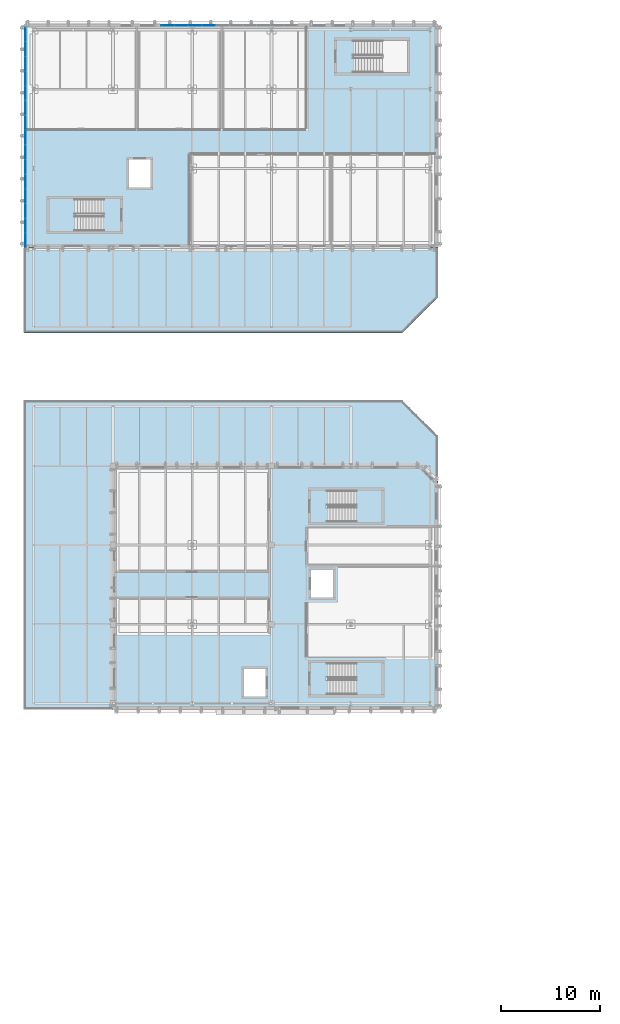
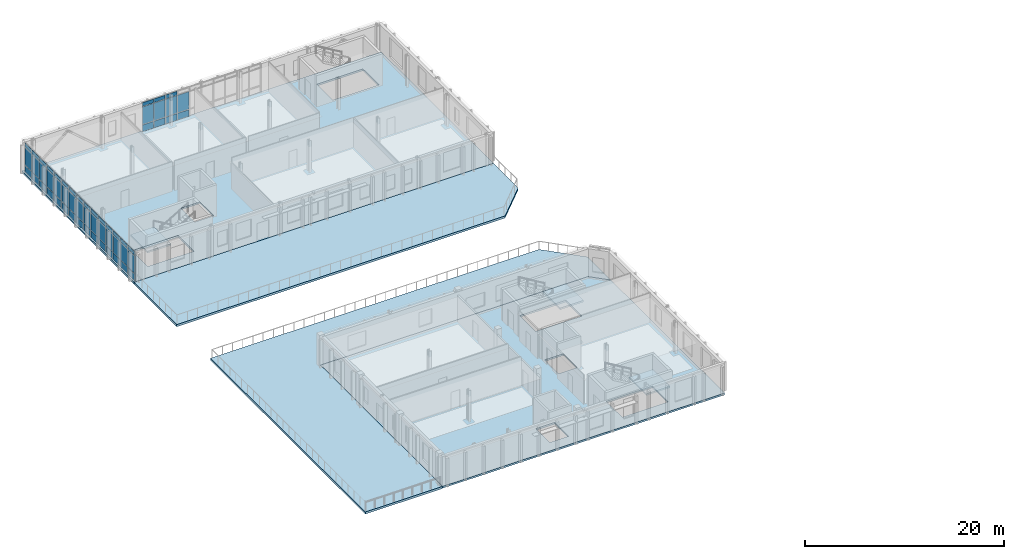
# One storey, part 17 of 43: 56 plates, 7 slabs, 7 elements without a shape of their own.
"""IFC4 building model written with IfcOpenShell, lengths in metres."""

from ifc_helpers import new_model, si_unit, direction, frame, origin, origin_2d, place, context, subcontext, project, spatial, polyline, rectangle, outline, extrude, material, layer, layer_set, type_object, element, aggregate, save


model = new_model("IFC4")

# Units and contexts
model_context = context("Model", 3, precision=1e-05, world=origin(), true_north=direction((0.0, 1.0)))
body_context = subcontext(model_context, "Body", "Model", "MODEL_VIEW")
ifc_project = project(units=[si_unit("LENGTHUNIT", "METRE"), si_unit("AREAUNIT", "SQUARE_METRE"), si_unit("VOLUMEUNIT", "CUBIC_METRE"), si_unit("PLANEANGLEUNIT", "RADIAN"), si_unit("MASSUNIT", "GRAM", prefix="KILO")], contexts=[model_context])

# Site, building, storey
site_placement = place(None, origin())
site = spatial("IfcSite", under=ifc_project, at=site_placement, CompositionType="ELEMENT")
building_placement = place(site_placement, origin())
building = spatial("IfcBuilding", under=site, at=building_placement, Name="Cymarion Research Institute", CompositionType="ELEMENT")
storey_placement = place(building_placement, frame((0.0, 0.0, 22.800048828125)))
storey = spatial("IfcBuildingStorey", under=building, at=storey_placement, Name="L05", CompositionType="ELEMENT", Elevation=22.800048828125)

# Slabs
ifc_material_1 = material(Name="Concrete C35/45", Category="concrete")
ifc_layer_1 = layer(ifc_material_1, 0.219970703125)
ifc_layer_set_1 = layer_set([ifc_layer_1], Name="Concrete C35/45")
slab_type_1 = type_object("IfcSlabType", Name="COMPOSITE FLOOR SLAB SL-FL220 220MM", PredefinedType="FLOOR", material=ifc_layer_set_1)
slab_1_placement = place(storey_placement, frame((0.0, 0.0, -0.219970703125)))
element("IfcSlab", 1, at=slab_1_placement, inside=storey, type_object=slab_type_1, Name="L05 V4 floor slab", PredefinedType="FLOOR", context=body_context, shape_type="SweptSolid", body=[
    extrude(outline(polyline([(14.60009765625, 46.89990234375), (47.39990234375, 46.89990234375), (47.39990234375, 69.800048828125), (45.699951171875, 71.5), (14.60009765625, 71.5), (14.60009765625, 46.89990234375)]), holes=[polyline([(36.340087890625, 48.39990234375), (41.699951171875, 48.39990234375), (41.699951171875, 51.60009765625), (36.340087890625, 51.60009765625), (36.340087890625, 48.39990234375)]), polyline([(27.800048828125, 48.199951171875), (30.0, 48.199951171875), (30.0, 51.0), (27.800048828125, 51.0), (27.800048828125, 48.199951171875)]), polyline([(36.340087890625, 65.800048828125), (41.699951171875, 65.800048828125), (41.699951171875, 69.0), (36.340087890625, 69.0), (36.340087890625, 65.800048828125)]), polyline([(34.60009765625, 58.199951171875), (36.800048828125, 58.199951171875), (36.800048828125, 61.0), (34.60009765625, 61.0), (34.60009765625, 58.199951171875)])]), origin(), (0.0, 0.0, 1.0), 0.219970703125),
])
slab_2_placement = place(storey_placement, frame((0.0, 0.0, -0.219970703125)))
element("IfcSlab", 2, at=slab_2_placement, inside=storey, type_object=slab_type_1, Name="L05 V5 floor slab", PredefinedType="FLOOR", context=body_context, shape_type="SweptSolid", body=[
    extrude(outline(polyline([(5.60009765625, 93.5), (47.39990234375, 93.5), (47.39990234375, 116.10009765625), (5.60009765625, 116.10009765625), (5.60009765625, 93.5)]), holes=[polyline([(13.56005859375, 98.39990234375), (8.199951171875, 98.39990234375), (8.199951171875, 95.199951171875), (13.56005859375, 95.199951171875), (13.56005859375, 98.39990234375)]), polyline([(16.199951171875, 99.60009765625), (18.39990234375, 99.60009765625), (18.39990234375, 102.39990234375), (16.199951171875, 102.39990234375), (16.199951171875, 99.60009765625)]), polyline([(38.93994140625, 111.199951171875), (44.300048828125, 111.199951171875), (44.300048828125, 114.39990234375), (38.93994140625, 114.39990234375), (38.93994140625, 111.199951171875)])]), origin(), (0.0, 0.0, 1.0), 0.219970703125),
])

# Curtain wall, plates
ifc_material_2 = material(Name="Anodised aluminium unitised curtain wall with Low-E glazing", Category="aluminium")
curtain_wall_type_1 = type_object("IfcCurtainWallType", Name="UNITISED CURTAIN WALL CW55 6910X3680", PredefinedType="NOTDEFINED", material=ifc_material_2)
curtain_wall_1_placement = place(storey_placement, origin())
curtain_wall_1 = element("IfcCurtainWall", 3, at=curtain_wall_1_placement, inside=storey, type_object=curtain_wall_type_1, Name="L05 V5 unitised curtain wall CW55 #211", PredefinedType="NOTDEFINED")
ifc_material_3 = material(Name="Insulated anodised aluminium spandrel panel", Category="aluminium")
ifc_layer_2 = layer(ifc_material_3, 0.06005859375)
ifc_layer_set_2 = layer_set([ifc_layer_2], Name="Insulated anodised aluminium spandrel panel")
plate_type_1 = type_object("IfcPlateType", Name="INSULATED ALUMINIUM SPANDREL PANEL SP01 60MM", PredefinedType="SHEET", material=ifc_layer_set_2)
plate_1_placement = place(storey_placement, frame((24.26513671875, 115.929931640625, 0.059814453125), z_axis=(0.0, 0.0, 1.0), x_axis=(-1.0, 0.0, 0.0)))
plate_1 = element("IfcPlate", 4, at=plate_1_placement, type_object=plate_type_1, Name="CW55 panel 2.1", PredefinedType="SHEET", context=body_context, shape_type="SweptSolid", body=[
    extrude(rectangle(XDim=1.322509765625, YDim=0.06005859375, at=origin_2d()), origin(), (0.0, 0.0, 1.0), 0.81005859375),
])
plate_2_placement = place(storey_placement, frame((22.882568359375, 115.929931640625, 0.059814453125), z_axis=(0.0, 0.0, 1.0), x_axis=(-1.0, 0.0, 0.0)))
plate_2 = element("IfcPlate", 5, at=plate_2_placement, type_object=plate_type_1, Name="CW55 panel 3.1", PredefinedType="SHEET", context=body_context, shape_type="SweptSolid", body=[
    extrude(rectangle(XDim=1.322509765625, YDim=0.06005859375, at=origin_2d()), origin(), (0.0, 0.0, 1.0), 0.81005859375),
])
plate_3_placement = place(storey_placement, frame((22.882568359375, 115.929931640625, 3.159912109375), z_axis=(0.0, 0.0, 1.0), x_axis=(-1.0, 0.0, 0.0)))
plate_3 = element("IfcPlate", 6, at=plate_3_placement, type_object=plate_type_1, Name="CW55 panel 3.3", PredefinedType="SHEET", context=body_context, shape_type="SweptSolid", body=[
    extrude(rectangle(XDim=1.322509765625, YDim=0.06005859375, at=origin_2d()), origin(), (0.0, 0.0, 1.0), 0.4599609375),
])
plate_4_placement = place(storey_placement, frame((21.5, 115.929931640625, 0.059814453125), z_axis=(0.0, 0.0, 1.0), x_axis=(-1.0, 0.0, 0.0)))
plate_4 = element("IfcPlate", 7, at=plate_4_placement, type_object=plate_type_1, Name="CW55 panel 4.1", PredefinedType="SHEET", context=body_context, shape_type="SweptSolid", body=[
    extrude(rectangle(XDim=1.322509765625, YDim=0.06005859375, at=origin_2d()), origin(), (0.0, 0.0, 1.0), 0.81005859375),
])
plate_5_placement = place(storey_placement, frame((21.5, 115.929931640625, 3.159912109375), z_axis=(0.0, 0.0, 1.0), x_axis=(-1.0, 0.0, 0.0)))
plate_5 = element("IfcPlate", 8, at=plate_5_placement, type_object=plate_type_1, Name="CW55 panel 4.3", PredefinedType="SHEET", context=body_context, shape_type="SweptSolid", body=[
    extrude(rectangle(XDim=1.322509765625, YDim=0.06005859375, at=origin_2d()), origin(), (0.0, 0.0, 1.0), 0.4599609375),
])
plate_6_placement = place(storey_placement, frame((20.13232421875, 115.929931640625, 0.059814453125), z_axis=(0.0, 0.0, 1.0), x_axis=(-1.0, 0.0, 0.0)))
plate_6 = element("IfcPlate", 9, at=plate_6_placement, type_object=plate_type_1, Name="CW55 panel 5.1", PredefinedType="SHEET", context=body_context, shape_type="SweptSolid", body=[
    extrude(rectangle(XDim=1.29248046875, YDim=0.06005859375, at=origin_2d()), origin(), (0.0, 0.0, 1.0), 0.81005859375),
])
plate_7_placement = place(storey_placement, frame((20.13232421875, 115.929931640625, 3.159912109375), z_axis=(0.0, 0.0, 1.0), x_axis=(-1.0, 0.0, 0.0)))
plate_7 = element("IfcPlate", 10, at=plate_7_placement, type_object=plate_type_1, Name="CW55 panel 5.3", PredefinedType="SHEET", context=body_context, shape_type="SweptSolid", body=[
    extrude(rectangle(XDim=1.29248046875, YDim=0.06005859375, at=origin_2d()), origin(), (0.0, 0.0, 1.0), 0.4599609375),
])

curtain_wall_type_2 = type_object("IfcCurtainWallType", Name="UNITISED CURTAIN WALL CW56 7430X3680", PredefinedType="NOTDEFINED", material=ifc_material_2)
curtain_wall_2_placement = place(storey_placement, origin())
curtain_wall_2 = element("IfcCurtainWall", 11, at=curtain_wall_2_placement, inside=storey, type_object=curtain_wall_type_2, Name="L05 V5 unitised curtain wall CW56 #212", PredefinedType="NOTDEFINED")
plate_8_placement = place(storey_placement, frame((5.77001953125, 115.0205078125, 0.059814453125), z_axis=(0.0, 0.0, 1.0), x_axis=(0.0, -1.0, 0.0)))
plate_8 = element("IfcPlate", 12, at=plate_8_placement, type_object=plate_type_1, Name="CW56 panel 1.1", PredefinedType="SHEET", context=body_context, shape_type="SweptSolid", body=[
    extrude(rectangle(XDim=1.395263671875, YDim=0.06005859375, at=origin_2d()), origin(), (0.0, 0.0, 1.0), 0.81005859375),
])
plate_9_placement = place(storey_placement, frame((5.77001953125, 115.0205078125, 3.159912109375), z_axis=(0.0, 0.0, 1.0), x_axis=(0.0, -1.0, 0.0)))
plate_9 = element("IfcPlate", 13, at=plate_9_placement, type_object=plate_type_1, Name="CW56 panel 1.3", PredefinedType="SHEET", context=body_context, shape_type="SweptSolid", body=[
    extrude(rectangle(XDim=1.395263671875, YDim=0.06005859375, at=origin_2d()), origin(), (0.0, 0.0, 1.0), 0.4599609375),
])
plate_10_placement = place(storey_placement, frame((5.77001953125, 113.55029296875, 0.059814453125), z_axis=(0.0, 0.0, 1.0), x_axis=(0.0, -1.0, 0.0)))
plate_10 = element("IfcPlate", 14, at=plate_10_placement, type_object=plate_type_1, Name="CW56 panel 2.1", PredefinedType="SHEET", context=body_context, shape_type="SweptSolid", body=[
    extrude(rectangle(XDim=1.42529296875, YDim=0.06005859375, at=origin_2d()), origin(), (0.0, 0.0, 1.0), 0.81005859375),
])
plate_11_placement = place(storey_placement, frame((5.77001953125, 113.55029296875, 3.159912109375), z_axis=(0.0, 0.0, 1.0), x_axis=(0.0, -1.0, 0.0)))
plate_11 = element("IfcPlate", 15, at=plate_11_placement, type_object=plate_type_1, Name="CW56 panel 2.3", PredefinedType="SHEET", context=body_context, shape_type="SweptSolid", body=[
    extrude(rectangle(XDim=1.42529296875, YDim=0.06005859375, at=origin_2d()), origin(), (0.0, 0.0, 1.0), 0.4599609375),
])
plate_12_placement = place(storey_placement, frame((5.77001953125, 112.06494140625, 0.059814453125), z_axis=(0.0, 0.0, 1.0), x_axis=(0.0, -1.0, 0.0)))
plate_12 = element("IfcPlate", 16, at=plate_12_placement, type_object=plate_type_1, Name="CW56 panel 3.1", PredefinedType="SHEET", context=body_context, shape_type="SweptSolid", body=[
    extrude(rectangle(XDim=1.42529296875, YDim=0.06005859375, at=origin_2d()), origin(), (0.0, 0.0, 1.0), 0.81005859375),
])
plate_13_placement = place(storey_placement, frame((5.77001953125, 112.06494140625, 3.159912109375), z_axis=(0.0, 0.0, 1.0), x_axis=(0.0, -1.0, 0.0)))
plate_13 = element("IfcPlate", 17, at=plate_13_placement, type_object=plate_type_1, Name="CW56 panel 3.3", PredefinedType="SHEET", context=body_context, shape_type="SweptSolid", body=[
    extrude(rectangle(XDim=1.42529296875, YDim=0.06005859375, at=origin_2d()), origin(), (0.0, 0.0, 1.0), 0.4599609375),
])
plate_14_placement = place(storey_placement, frame((5.77001953125, 110.579833984375, 0.059814453125), z_axis=(0.0, 0.0, 1.0), x_axis=(0.0, -1.0, 0.0)))
plate_14 = element("IfcPlate", 18, at=plate_14_placement, type_object=plate_type_1, Name="CW56 panel 4.1", PredefinedType="SHEET", context=body_context, shape_type="SweptSolid", body=[
    extrude(rectangle(XDim=1.42529296875, YDim=0.06005859375, at=origin_2d()), origin(), (0.0, 0.0, 1.0), 0.81005859375),
])
plate_15_placement = place(storey_placement, frame((5.77001953125, 110.579833984375, 3.159912109375), z_axis=(0.0, 0.0, 1.0), x_axis=(0.0, -1.0, 0.0)))
plate_15 = element("IfcPlate", 19, at=plate_15_placement, type_object=plate_type_1, Name="CW56 panel 4.3", PredefinedType="SHEET", context=body_context, shape_type="SweptSolid", body=[
    extrude(rectangle(XDim=1.42529296875, YDim=0.06005859375, at=origin_2d()), origin(), (0.0, 0.0, 1.0), 0.4599609375),
])
plate_16_placement = place(storey_placement, frame((5.77001953125, 109.109619140625, 0.059814453125), z_axis=(0.0, 0.0, 1.0), x_axis=(0.0, -1.0, 0.0)))
plate_16 = element("IfcPlate", 20, at=plate_16_placement, type_object=plate_type_1, Name="CW56 panel 5.1", PredefinedType="SHEET", context=body_context, shape_type="SweptSolid", body=[
    extrude(rectangle(XDim=1.395263671875, YDim=0.06005859375, at=origin_2d()), origin(), (0.0, 0.0, 1.0), 0.81005859375),
])
plate_17_placement = place(storey_placement, frame((5.77001953125, 109.109619140625, 3.159912109375), z_axis=(0.0, 0.0, 1.0), x_axis=(0.0, -1.0, 0.0)))
plate_17 = element("IfcPlate", 21, at=plate_17_placement, type_object=plate_type_1, Name="CW56 panel 5.3", PredefinedType="SHEET", context=body_context, shape_type="SweptSolid", body=[
    extrude(rectangle(XDim=1.395263671875, YDim=0.06005859375, at=origin_2d()), origin(), (0.0, 0.0, 1.0), 0.4599609375),
])

curtain_wall_3_placement = place(storey_placement, origin())
curtain_wall_3 = element("IfcCurtainWall", 22, at=curtain_wall_3_placement, inside=storey, type_object=curtain_wall_type_2, Name="L05 V5 unitised curtain wall CW56 #213", PredefinedType="NOTDEFINED")
plate_18_placement = place(storey_placement, frame((5.77001953125, 107.594482421875, 0.059814453125), z_axis=(0.0, 0.0, 1.0), x_axis=(0.0, -1.0, 0.0)))
plate_18 = element("IfcPlate", 23, at=plate_18_placement, type_object=plate_type_1, Name="CW56 panel 1.1", PredefinedType="SHEET", context=body_context, shape_type="SweptSolid", body=[
    extrude(rectangle(XDim=1.395263671875, YDim=0.06005859375, at=origin_2d()), origin(), (0.0, 0.0, 1.0), 0.81005859375),
])
plate_19_placement = place(storey_placement, frame((5.77001953125, 107.594482421875, 3.159912109375), z_axis=(0.0, 0.0, 1.0), x_axis=(0.0, -1.0, 0.0)))
plate_19 = element("IfcPlate", 24, at=plate_19_placement, type_object=plate_type_1, Name="CW56 panel 1.3", PredefinedType="SHEET", context=body_context, shape_type="SweptSolid", body=[
    extrude(rectangle(XDim=1.395263671875, YDim=0.06005859375, at=origin_2d()), origin(), (0.0, 0.0, 1.0), 0.4599609375),
])
plate_20_placement = place(storey_placement, frame((5.77001953125, 106.124267578125, 0.059814453125), z_axis=(0.0, 0.0, 1.0), x_axis=(0.0, -1.0, 0.0)))
plate_20 = element("IfcPlate", 25, at=plate_20_placement, type_object=plate_type_1, Name="CW56 panel 2.1", PredefinedType="SHEET", context=body_context, shape_type="SweptSolid", body=[
    extrude(rectangle(XDim=1.42529296875, YDim=0.06005859375, at=origin_2d()), origin(), (0.0, 0.0, 1.0), 0.81005859375),
])
plate_21_placement = place(storey_placement, frame((5.77001953125, 106.124267578125, 3.159912109375), z_axis=(0.0, 0.0, 1.0), x_axis=(0.0, -1.0, 0.0)))
plate_21 = element("IfcPlate", 26, at=plate_21_placement, type_object=plate_type_1, Name="CW56 panel 2.3", PredefinedType="SHEET", context=body_context, shape_type="SweptSolid", body=[
    extrude(rectangle(XDim=1.42529296875, YDim=0.06005859375, at=origin_2d()), origin(), (0.0, 0.0, 1.0), 0.4599609375),
])
plate_22_placement = place(storey_placement, frame((5.77001953125, 104.638916015625, 0.059814453125), z_axis=(0.0, 0.0, 1.0), x_axis=(0.0, -1.0, 0.0)))
plate_22 = element("IfcPlate", 27, at=plate_22_placement, type_object=plate_type_1, Name="CW56 panel 3.1", PredefinedType="SHEET", context=body_context, shape_type="SweptSolid", body=[
    extrude(rectangle(XDim=1.42529296875, YDim=0.06005859375, at=origin_2d()), origin(), (0.0, 0.0, 1.0), 0.81005859375),
])
plate_23_placement = place(storey_placement, frame((5.77001953125, 104.638916015625, 3.159912109375), z_axis=(0.0, 0.0, 1.0), x_axis=(0.0, -1.0, 0.0)))
plate_23 = element("IfcPlate", 28, at=plate_23_placement, type_object=plate_type_1, Name="CW56 panel 3.3", PredefinedType="SHEET", context=body_context, shape_type="SweptSolid", body=[
    extrude(rectangle(XDim=1.42529296875, YDim=0.06005859375, at=origin_2d()), origin(), (0.0, 0.0, 1.0), 0.4599609375),
])
plate_24_placement = place(storey_placement, frame((5.77001953125, 103.15380859375, 0.059814453125), z_axis=(0.0, 0.0, 1.0), x_axis=(0.0, -1.0, 0.0)))
plate_24 = element("IfcPlate", 29, at=plate_24_placement, type_object=plate_type_1, Name="CW56 panel 4.1", PredefinedType="SHEET", context=body_context, shape_type="SweptSolid", body=[
    extrude(rectangle(XDim=1.42529296875, YDim=0.06005859375, at=origin_2d()), origin(), (0.0, 0.0, 1.0), 0.81005859375),
])
plate_25_placement = place(storey_placement, frame((5.77001953125, 103.15380859375, 3.159912109375), z_axis=(0.0, 0.0, 1.0), x_axis=(0.0, -1.0, 0.0)))
plate_25 = element("IfcPlate", 30, at=plate_25_placement, type_object=plate_type_1, Name="CW56 panel 4.3", PredefinedType="SHEET", context=body_context, shape_type="SweptSolid", body=[
    extrude(rectangle(XDim=1.42529296875, YDim=0.06005859375, at=origin_2d()), origin(), (0.0, 0.0, 1.0), 0.4599609375),
])
plate_26_placement = place(storey_placement, frame((5.77001953125, 101.68359375, 0.059814453125), z_axis=(0.0, 0.0, 1.0), x_axis=(0.0, -1.0, 0.0)))
plate_26 = element("IfcPlate", 31, at=plate_26_placement, type_object=plate_type_1, Name="CW56 panel 5.1", PredefinedType="SHEET", context=body_context, shape_type="SweptSolid", body=[
    extrude(rectangle(XDim=1.395263671875, YDim=0.06005859375, at=origin_2d()), origin(), (0.0, 0.0, 1.0), 0.81005859375),
])
plate_27_placement = place(storey_placement, frame((5.77001953125, 101.68359375, 3.159912109375), z_axis=(0.0, 0.0, 1.0), x_axis=(0.0, -1.0, 0.0)))
plate_27 = element("IfcPlate", 32, at=plate_27_placement, type_object=plate_type_1, Name="CW56 panel 5.3", PredefinedType="SHEET", context=body_context, shape_type="SweptSolid", body=[
    extrude(rectangle(XDim=1.395263671875, YDim=0.06005859375, at=origin_2d()), origin(), (0.0, 0.0, 1.0), 0.4599609375),
])

curtain_wall_4_placement = place(storey_placement, origin())
curtain_wall_4 = element("IfcCurtainWall", 33, at=curtain_wall_4_placement, inside=storey, type_object=curtain_wall_type_2, Name="L05 V5 unitised curtain wall CW56 #214", PredefinedType="NOTDEFINED")
plate_28_placement = place(storey_placement, frame((5.77001953125, 100.16845703125, 0.059814453125), z_axis=(0.0, 0.0, 1.0), x_axis=(0.0, -1.0, 0.0)))
plate_28 = element("IfcPlate", 34, at=plate_28_placement, type_object=plate_type_1, Name="CW56 panel 1.1", PredefinedType="SHEET", context=body_context, shape_type="SweptSolid", body=[
    extrude(rectangle(XDim=1.395263671875, YDim=0.06005859375, at=origin_2d()), origin(), (0.0, 0.0, 1.0), 0.81005859375),
])
plate_29_placement = place(storey_placement, frame((5.77001953125, 100.16845703125, 3.159912109375), z_axis=(0.0, 0.0, 1.0), x_axis=(0.0, -1.0, 0.0)))
plate_29 = element("IfcPlate", 35, at=plate_29_placement, type_object=plate_type_1, Name="CW56 panel 1.3", PredefinedType="SHEET", context=body_context, shape_type="SweptSolid", body=[
    extrude(rectangle(XDim=1.395263671875, YDim=0.06005859375, at=origin_2d()), origin(), (0.0, 0.0, 1.0), 0.4599609375),
])
plate_30_placement = place(storey_placement, frame((5.77001953125, 98.6982421875, 0.059814453125), z_axis=(0.0, 0.0, 1.0), x_axis=(0.0, -1.0, 0.0)))
plate_30 = element("IfcPlate", 36, at=plate_30_placement, type_object=plate_type_1, Name="CW56 panel 2.1", PredefinedType="SHEET", context=body_context, shape_type="SweptSolid", body=[
    extrude(rectangle(XDim=1.42529296875, YDim=0.06005859375, at=origin_2d()), origin(), (0.0, 0.0, 1.0), 0.81005859375),
])
plate_31_placement = place(storey_placement, frame((5.77001953125, 98.6982421875, 3.159912109375), z_axis=(0.0, 0.0, 1.0), x_axis=(0.0, -1.0, 0.0)))
plate_31 = element("IfcPlate", 37, at=plate_31_placement, type_object=plate_type_1, Name="CW56 panel 2.3", PredefinedType="SHEET", context=body_context, shape_type="SweptSolid", body=[
    extrude(rectangle(XDim=1.42529296875, YDim=0.06005859375, at=origin_2d()), origin(), (0.0, 0.0, 1.0), 0.4599609375),
])
plate_32_placement = place(storey_placement, frame((5.77001953125, 97.212890625, 0.059814453125), z_axis=(0.0, 0.0, 1.0), x_axis=(0.0, -1.0, 0.0)))
plate_32 = element("IfcPlate", 38, at=plate_32_placement, type_object=plate_type_1, Name="CW56 panel 3.1", PredefinedType="SHEET", context=body_context, shape_type="SweptSolid", body=[
    extrude(rectangle(XDim=1.42529296875, YDim=0.06005859375, at=origin_2d()), origin(), (0.0, 0.0, 1.0), 0.81005859375),
])
plate_33_placement = place(storey_placement, frame((5.77001953125, 97.212890625, 3.159912109375), z_axis=(0.0, 0.0, 1.0), x_axis=(0.0, -1.0, 0.0)))
plate_33 = element("IfcPlate", 39, at=plate_33_placement, type_object=plate_type_1, Name="CW56 panel 3.3", PredefinedType="SHEET", context=body_context, shape_type="SweptSolid", body=[
    extrude(rectangle(XDim=1.42529296875, YDim=0.06005859375, at=origin_2d()), origin(), (0.0, 0.0, 1.0), 0.4599609375),
])
plate_34_placement = place(storey_placement, frame((5.77001953125, 95.727783203125, 0.059814453125), z_axis=(0.0, 0.0, 1.0), x_axis=(0.0, -1.0, 0.0)))
plate_34 = element("IfcPlate", 40, at=plate_34_placement, type_object=plate_type_1, Name="CW56 panel 4.1", PredefinedType="SHEET", context=body_context, shape_type="SweptSolid", body=[
    extrude(rectangle(XDim=1.42529296875, YDim=0.06005859375, at=origin_2d()), origin(), (0.0, 0.0, 1.0), 0.81005859375),
])
plate_35_placement = place(storey_placement, frame((5.77001953125, 95.727783203125, 3.159912109375), z_axis=(0.0, 0.0, 1.0), x_axis=(0.0, -1.0, 0.0)))
plate_35 = element("IfcPlate", 41, at=plate_35_placement, type_object=plate_type_1, Name="CW56 panel 4.3", PredefinedType="SHEET", context=body_context, shape_type="SweptSolid", body=[
    extrude(rectangle(XDim=1.42529296875, YDim=0.06005859375, at=origin_2d()), origin(), (0.0, 0.0, 1.0), 0.4599609375),
])
plate_36_placement = place(storey_placement, frame((5.77001953125, 94.257568359375, 0.059814453125), z_axis=(0.0, 0.0, 1.0), x_axis=(0.0, -1.0, 0.0)))
plate_36 = element("IfcPlate", 42, at=plate_36_placement, type_object=plate_type_1, Name="CW56 panel 5.1", PredefinedType="SHEET", context=body_context, shape_type="SweptSolid", body=[
    extrude(rectangle(XDim=1.395263671875, YDim=0.06005859375, at=origin_2d()), origin(), (0.0, 0.0, 1.0), 0.81005859375),
])
plate_37_placement = place(storey_placement, frame((5.77001953125, 94.257568359375, 3.159912109375), z_axis=(0.0, 0.0, 1.0), x_axis=(0.0, -1.0, 0.0)))
plate_37 = element("IfcPlate", 43, at=plate_37_placement, type_object=plate_type_1, Name="CW56 panel 5.3", PredefinedType="SHEET", context=body_context, shape_type="SweptSolid", body=[
    extrude(rectangle(XDim=1.395263671875, YDim=0.06005859375, at=origin_2d()), origin(), (0.0, 0.0, 1.0), 0.4599609375),
])

# Stair, slab
stair_type = type_object("IfcStairType", Name="REINFORCED CONCRETE DOGLEG STAIR STR-3900", PredefinedType="HALF_TURN_STAIR", material=ifc_material_1)
stair_1_placement = place(storey_placement, origin())
stair_1 = element("IfcStair", 44, at=stair_1_placement, inside=storey, type_object=stair_type, Name="L05 Core C7 Smoke-Proof Exit Stair ST7", PredefinedType="HALF_TURN_STAIR")
ifc_layer_3 = layer(ifc_material_1, 0.199951171875)
ifc_layer_set_3 = layer_set([ifc_layer_3], Name="Concrete C35/45")
slab_type_2 = type_object("IfcSlabType", Name="REINFORCED CONCRETE STAIR LANDING LDG200", PredefinedType="LANDING", material=ifc_layer_set_3)
slab_3_placement = place(storey_placement, frame((0.0, 0.0, 1.75)))
slab_3 = element("IfcSlab", 45, at=slab_3_placement, type_object=slab_type_2, Name="ST7 landing 1", PredefinedType="LANDING", context=body_context, shape_type="SweptSolid", body=[
    extrude(outline(polyline([(39.080078125, 48.280029296875), (39.080078125, 51.719970703125), (41.820068359375, 51.719970703125), (41.820068359375, 48.280029296875), (39.080078125, 48.280029296875)])), origin(), (0.0, 0.0, 1.0), 0.199951171875),
])
aggregate(stair_1, [slab_3])

stair_2_placement = place(storey_placement, origin())
stair_2 = element("IfcStair", 46, at=stair_2_placement, inside=storey, type_object=stair_type, Name="L05 Core C8 Smoke-Proof Exit Stair ST8", PredefinedType="HALF_TURN_STAIR")
slab_4_placement = place(storey_placement, frame((0.0, 0.0, 1.75)))
slab_4 = element("IfcSlab", 47, at=slab_4_placement, type_object=slab_type_2, Name="ST8 landing 1", PredefinedType="LANDING", context=body_context, shape_type="SweptSolid", body=[
    extrude(outline(polyline([(39.080078125, 65.679931640625), (39.080078125, 69.1201171875), (41.820068359375, 69.1201171875), (41.820068359375, 65.679931640625), (39.080078125, 65.679931640625)])), origin(), (0.0, 0.0, 1.0), 0.199951171875),
])
aggregate(stair_2, [slab_4])

stair_3_placement = place(storey_placement, origin())
stair_3 = element("IfcStair", 48, at=stair_3_placement, inside=storey, type_object=stair_type, Name="L05 Core C9 Smoke-Proof Exit Stair ST9", PredefinedType="HALF_TURN_STAIR")
slab_5_placement = place(storey_placement, frame((0.0, 0.0, 1.75)))
slab_5 = element("IfcSlab", 49, at=slab_5_placement, type_object=slab_type_2, Name="ST9 landing 1", PredefinedType="LANDING", context=body_context, shape_type="SweptSolid", body=[
    extrude(outline(polyline([(10.820068359375, 98.52001953125), (10.820068359375, 95.080078125), (8.080078125, 95.080078125), (8.080078125, 98.52001953125), (10.820068359375, 98.52001953125)])), origin(), (0.0, 0.0, 1.0), 0.199951171875),
])
aggregate(stair_3, [slab_5])

# Slabs
ifc_layer_4 = layer(ifc_material_1, 0.260009765625)
ifc_layer_set_4 = layer_set([ifc_layer_4], Name="Concrete C35/45")
slab_type_3 = type_object("IfcSlabType", Name="ROOF SLAB SL-TR260 260MM", PredefinedType="ROOF", material=ifc_layer_set_4)
slab_6_placement = place(storey_placement, frame((0.0, 0.0, -0.260009765625)))
element("IfcSlab", 50, at=slab_6_placement, inside=storey, type_object=slab_type_3, Name="V4 planted roof garden terrace", PredefinedType="ROOF", context=body_context, shape_type="SweptSolid", body=[
    extrude(outline(polyline([(5.60009765625, 46.89990234375), (14.60009765625, 46.89990234375), (14.60009765625, 71.5), (45.699951171875, 71.5), (47.39990234375, 69.800048828125), (47.39990234375, 74.5), (43.800048828125, 78.10009765625), (5.60009765625, 78.10009765625), (5.60009765625, 46.89990234375)])), origin(), (0.0, 0.0, 1.0), 0.260009765625),
])
slab_7_placement = place(storey_placement, frame((0.0, 0.0, -0.260009765625)))
element("IfcSlab", 51, at=slab_7_placement, inside=storey, type_object=slab_type_3, Name="V5 planted roof garden terrace", PredefinedType="ROOF", context=body_context, shape_type="SweptSolid", body=[
    extrude(outline(polyline([(5.60009765625, 84.89990234375), (43.800048828125, 84.89990234375), (47.39990234375, 88.5), (47.39990234375, 93.5), (5.60009765625, 93.5), (5.60009765625, 84.89990234375)])), origin(), (0.0, 0.0, 1.0), 0.260009765625),
])

# Plate
ifc_material_4 = material(Name="Low-E double solar-control glazing", Category="glass")
ifc_layer_5 = layer(ifc_material_4, 0.035888671875)
ifc_layer_set_5 = layer_set([ifc_layer_5], Name="Low-E double solar-control glazing")
plate_type_2 = type_object("IfcPlateType", Name="SOLAR CONTROL GLAZED VISION PANEL GP01 36MM", PredefinedType="CURTAIN_PANEL", material=ifc_layer_set_5)
plate_38_placement = place(storey_placement, frame((24.26513671875, 115.929931640625, 0.929931640625), z_axis=(0.0, 0.0, 1.0), x_axis=(-1.0, 0.0, 0.0)))
plate_38 = element("IfcPlate", 52, at=plate_38_placement, type_object=plate_type_2, Name="CW55 panel 2.2", PredefinedType="CURTAIN_PANEL", context=body_context, shape_type="SweptSolid", body=[
    extrude(rectangle(XDim=1.322509765625, YDim=0.035888671875, at=origin_2d()), origin(), (0.0, 0.0, 1.0), 2.169921875),
])

plate_39_placement = place(storey_placement, frame((22.882568359375, 115.929931640625, 0.929931640625), z_axis=(0.0, 0.0, 1.0), x_axis=(-1.0, 0.0, 0.0)))
plate_39 = element("IfcPlate", 53, at=plate_39_placement, type_object=plate_type_2, Name="CW55 panel 3.2", PredefinedType="CURTAIN_PANEL", context=body_context, shape_type="SweptSolid", body=[
    extrude(rectangle(XDim=1.322509765625, YDim=0.035888671875, at=origin_2d()), origin(), (0.0, 0.0, 1.0), 2.169921875),
])

plate_40_placement = place(storey_placement, frame((21.5, 115.929931640625, 0.929931640625), z_axis=(0.0, 0.0, 1.0), x_axis=(-1.0, 0.0, 0.0)))
plate_40 = element("IfcPlate", 54, at=plate_40_placement, type_object=plate_type_2, Name="CW55 panel 4.2", PredefinedType="CURTAIN_PANEL", context=body_context, shape_type="SweptSolid", body=[
    extrude(rectangle(XDim=1.322509765625, YDim=0.035888671875, at=origin_2d()), origin(), (0.0, 0.0, 1.0), 2.169921875),
])

plate_41_placement = place(storey_placement, frame((20.13232421875, 115.929931640625, 0.929931640625), z_axis=(0.0, 0.0, 1.0), x_axis=(-1.0, 0.0, 0.0)))
plate_41 = element("IfcPlate", 55, at=plate_41_placement, type_object=plate_type_2, Name="CW55 panel 5.2", PredefinedType="CURTAIN_PANEL", context=body_context, shape_type="SweptSolid", body=[
    extrude(rectangle(XDim=1.29248046875, YDim=0.035888671875, at=origin_2d()), origin(), (0.0, 0.0, 1.0), 2.169921875),
])

aggregate(curtain_wall_1, [plate_1, plate_38, plate_2, plate_39, plate_3, plate_4, plate_40, plate_5, plate_6, plate_41, plate_7])

plate_42_placement = place(storey_placement, frame((5.77001953125, 115.0205078125, 0.929931640625), z_axis=(0.0, 0.0, 1.0), x_axis=(0.0, -1.0, 0.0)))
plate_42 = element("IfcPlate", 56, at=plate_42_placement, type_object=plate_type_2, Name="CW56 panel 1.2", PredefinedType="CURTAIN_PANEL", context=body_context, shape_type="SweptSolid", body=[
    extrude(rectangle(XDim=1.395263671875, YDim=0.035888671875, at=origin_2d()), origin(), (0.0, 0.0, 1.0), 2.169921875),
])

plate_43_placement = place(storey_placement, frame((5.77001953125, 113.55029296875, 0.929931640625), z_axis=(0.0, 0.0, 1.0), x_axis=(0.0, -1.0, 0.0)))
plate_43 = element("IfcPlate", 57, at=plate_43_placement, type_object=plate_type_2, Name="CW56 panel 2.2", PredefinedType="CURTAIN_PANEL", context=body_context, shape_type="SweptSolid", body=[
    extrude(rectangle(XDim=1.42529296875, YDim=0.035888671875, at=origin_2d()), origin(), (0.0, 0.0, 1.0), 2.169921875),
])

plate_44_placement = place(storey_placement, frame((5.77001953125, 112.06494140625, 0.929931640625), z_axis=(0.0, 0.0, 1.0), x_axis=(0.0, -1.0, 0.0)))
plate_44 = element("IfcPlate", 58, at=plate_44_placement, type_object=plate_type_2, Name="CW56 panel 3.2", PredefinedType="CURTAIN_PANEL", context=body_context, shape_type="SweptSolid", body=[
    extrude(rectangle(XDim=1.42529296875, YDim=0.035888671875, at=origin_2d()), origin(), (0.0, 0.0, 1.0), 2.169921875),
])

plate_45_placement = place(storey_placement, frame((5.77001953125, 110.579833984375, 0.929931640625), z_axis=(0.0, 0.0, 1.0), x_axis=(0.0, -1.0, 0.0)))
plate_45 = element("IfcPlate", 59, at=plate_45_placement, type_object=plate_type_2, Name="CW56 panel 4.2", PredefinedType="CURTAIN_PANEL", context=body_context, shape_type="SweptSolid", body=[
    extrude(rectangle(XDim=1.42529296875, YDim=0.035888671875, at=origin_2d()), origin(), (0.0, 0.0, 1.0), 2.169921875),
])

plate_46_placement = place(storey_placement, frame((5.77001953125, 109.109619140625, 0.929931640625), z_axis=(0.0, 0.0, 1.0), x_axis=(0.0, -1.0, 0.0)))
plate_46 = element("IfcPlate", 60, at=plate_46_placement, type_object=plate_type_2, Name="CW56 panel 5.2", PredefinedType="CURTAIN_PANEL", context=body_context, shape_type="SweptSolid", body=[
    extrude(rectangle(XDim=1.395263671875, YDim=0.035888671875, at=origin_2d()), origin(), (0.0, 0.0, 1.0), 2.169921875),
])

aggregate(curtain_wall_2, [plate_8, plate_42, plate_9, plate_10, plate_43, plate_11, plate_12, plate_44, plate_13, plate_14, plate_45, plate_15, plate_16, plate_46, plate_17])

plate_47_placement = place(storey_placement, frame((5.77001953125, 107.594482421875, 0.929931640625), z_axis=(0.0, 0.0, 1.0), x_axis=(0.0, -1.0, 0.0)))
plate_47 = element("IfcPlate", 61, at=plate_47_placement, type_object=plate_type_2, Name="CW56 panel 1.2", PredefinedType="CURTAIN_PANEL", context=body_context, shape_type="SweptSolid", body=[
    extrude(rectangle(XDim=1.395263671875, YDim=0.035888671875, at=origin_2d()), origin(), (0.0, 0.0, 1.0), 2.169921875),
])

plate_48_placement = place(storey_placement, frame((5.77001953125, 106.124267578125, 0.929931640625), z_axis=(0.0, 0.0, 1.0), x_axis=(0.0, -1.0, 0.0)))
plate_48 = element("IfcPlate", 62, at=plate_48_placement, type_object=plate_type_2, Name="CW56 panel 2.2", PredefinedType="CURTAIN_PANEL", context=body_context, shape_type="SweptSolid", body=[
    extrude(rectangle(XDim=1.42529296875, YDim=0.035888671875, at=origin_2d()), origin(), (0.0, 0.0, 1.0), 2.169921875),
])

plate_49_placement = place(storey_placement, frame((5.77001953125, 104.638916015625, 0.929931640625), z_axis=(0.0, 0.0, 1.0), x_axis=(0.0, -1.0, 0.0)))
plate_49 = element("IfcPlate", 63, at=plate_49_placement, type_object=plate_type_2, Name="CW56 panel 3.2", PredefinedType="CURTAIN_PANEL", context=body_context, shape_type="SweptSolid", body=[
    extrude(rectangle(XDim=1.42529296875, YDim=0.035888671875, at=origin_2d()), origin(), (0.0, 0.0, 1.0), 2.169921875),
])

plate_50_placement = place(storey_placement, frame((5.77001953125, 103.15380859375, 0.929931640625), z_axis=(0.0, 0.0, 1.0), x_axis=(0.0, -1.0, 0.0)))
plate_50 = element("IfcPlate", 64, at=plate_50_placement, type_object=plate_type_2, Name="CW56 panel 4.2", PredefinedType="CURTAIN_PANEL", context=body_context, shape_type="SweptSolid", body=[
    extrude(rectangle(XDim=1.42529296875, YDim=0.035888671875, at=origin_2d()), origin(), (0.0, 0.0, 1.0), 2.169921875),
])

plate_51_placement = place(storey_placement, frame((5.77001953125, 101.68359375, 0.929931640625), z_axis=(0.0, 0.0, 1.0), x_axis=(0.0, -1.0, 0.0)))
plate_51 = element("IfcPlate", 65, at=plate_51_placement, type_object=plate_type_2, Name="CW56 panel 5.2", PredefinedType="CURTAIN_PANEL", context=body_context, shape_type="SweptSolid", body=[
    extrude(rectangle(XDim=1.395263671875, YDim=0.035888671875, at=origin_2d()), origin(), (0.0, 0.0, 1.0), 2.169921875),
])

aggregate(curtain_wall_3, [plate_18, plate_47, plate_19, plate_20, plate_48, plate_21, plate_22, plate_49, plate_23, plate_24, plate_50, plate_25, plate_26, plate_51, plate_27])

plate_52_placement = place(storey_placement, frame((5.77001953125, 100.16845703125, 0.929931640625), z_axis=(0.0, 0.0, 1.0), x_axis=(0.0, -1.0, 0.0)))
plate_52 = element("IfcPlate", 66, at=plate_52_placement, type_object=plate_type_2, Name="CW56 panel 1.2", PredefinedType="CURTAIN_PANEL", context=body_context, shape_type="SweptSolid", body=[
    extrude(rectangle(XDim=1.395263671875, YDim=0.035888671875, at=origin_2d()), origin(), (0.0, 0.0, 1.0), 2.169921875),
])

plate_53_placement = place(storey_placement, frame((5.77001953125, 98.6982421875, 0.929931640625), z_axis=(0.0, 0.0, 1.0), x_axis=(0.0, -1.0, 0.0)))
plate_53 = element("IfcPlate", 67, at=plate_53_placement, type_object=plate_type_2, Name="CW56 panel 2.2", PredefinedType="CURTAIN_PANEL", context=body_context, shape_type="SweptSolid", body=[
    extrude(rectangle(XDim=1.42529296875, YDim=0.035888671875, at=origin_2d()), origin(), (0.0, 0.0, 1.0), 2.169921875),
])

plate_54_placement = place(storey_placement, frame((5.77001953125, 97.212890625, 0.929931640625), z_axis=(0.0, 0.0, 1.0), x_axis=(0.0, -1.0, 0.0)))
plate_54 = element("IfcPlate", 68, at=plate_54_placement, type_object=plate_type_2, Name="CW56 panel 3.2", PredefinedType="CURTAIN_PANEL", context=body_context, shape_type="SweptSolid", body=[
    extrude(rectangle(XDim=1.42529296875, YDim=0.035888671875, at=origin_2d()), origin(), (0.0, 0.0, 1.0), 2.169921875),
])

plate_55_placement = place(storey_placement, frame((5.77001953125, 95.727783203125, 0.929931640625), z_axis=(0.0, 0.0, 1.0), x_axis=(0.0, -1.0, 0.0)))
plate_55 = element("IfcPlate", 69, at=plate_55_placement, type_object=plate_type_2, Name="CW56 panel 4.2", PredefinedType="CURTAIN_PANEL", context=body_context, shape_type="SweptSolid", body=[
    extrude(rectangle(XDim=1.42529296875, YDim=0.035888671875, at=origin_2d()), origin(), (0.0, 0.0, 1.0), 2.169921875),
])

plate_56_placement = place(storey_placement, frame((5.77001953125, 94.257568359375, 0.929931640625), z_axis=(0.0, 0.0, 1.0), x_axis=(0.0, -1.0, 0.0)))
plate_56 = element("IfcPlate", 70, at=plate_56_placement, type_object=plate_type_2, Name="CW56 panel 5.2", PredefinedType="CURTAIN_PANEL", context=body_context, shape_type="SweptSolid", body=[
    extrude(rectangle(XDim=1.395263671875, YDim=0.035888671875, at=origin_2d()), origin(), (0.0, 0.0, 1.0), 2.169921875),
])

aggregate(curtain_wall_4, [plate_28, plate_52, plate_29, plate_30, plate_53, plate_31, plate_32, plate_54, plate_33, plate_34, plate_55, plate_35, plate_36, plate_56, plate_37])

save(model, "model.ifc")
